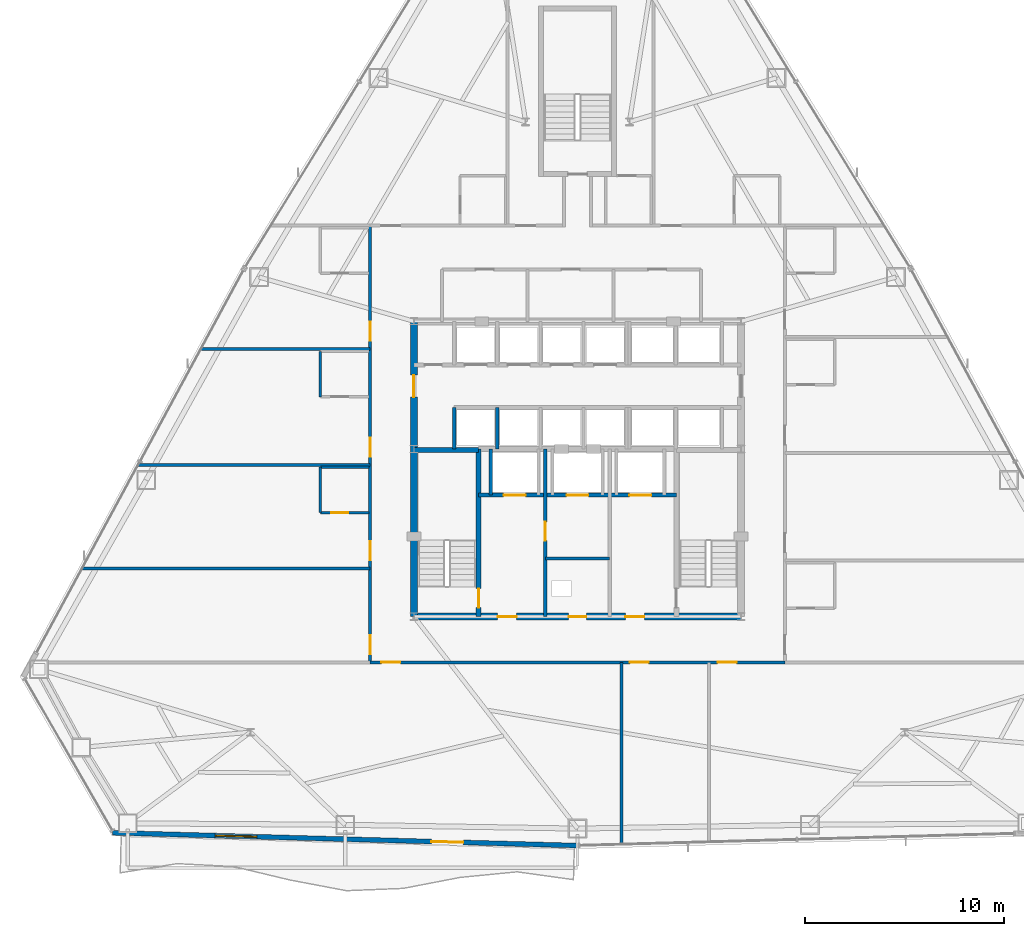
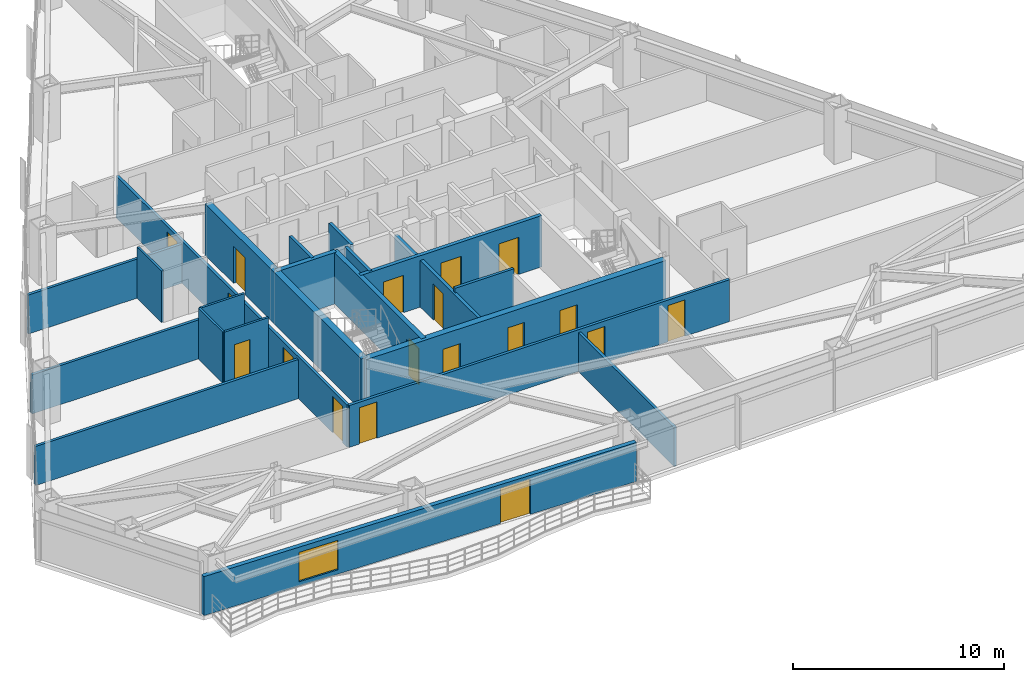
# One storey, part 9 of 14: 21 walls, 18 doors, 1 window, 19 openings.
"""IFC4 building model written with IfcOpenShell, lengths in metres."""

from ifc_helpers import new_model, si_unit, direction, frame, frame_2d, origin, place, context, subcontext, project, spatial, rectangle, extrude, material, layer, layer_set, type_object, element, fill, save


model = new_model("IFC4")

# Units and contexts
model_context = context("Model", 3, precision=1e-05, world=origin(), true_north=direction((0.0, 1.0)))
body_context = subcontext(model_context, "Body", "Model", "MODEL_VIEW")
ifc_project = project(units=[si_unit("LENGTHUNIT", "METRE"), si_unit("AREAUNIT", "SQUARE_METRE"), si_unit("VOLUMEUNIT", "CUBIC_METRE"), si_unit("PLANEANGLEUNIT", "RADIAN"), si_unit("MASSUNIT", "GRAM", prefix="KILO")], contexts=[model_context])

# Site, building, storey
site_placement = place(None, origin())
site = spatial("IfcSite", under=ifc_project, at=site_placement, CompositionType="ELEMENT")
building_placement = place(site_placement, origin())
building = spatial("IfcBuilding", under=site, at=building_placement, Name="Varakhsha Concourse Tower", CompositionType="ELEMENT")
storey_placement = place(building_placement, frame((0.0, 0.0, 105.39990234375)))
storey = spatial("IfcBuildingStorey", under=building, at=storey_placement, Name="L30", CompositionType="ELEMENT", Elevation=105.39990234375)

# Wall, openings, doors
ifc_material_1 = material(Name="Concrete fc 65 MPa", Category="concrete")
ifc_layer_1 = layer(ifc_material_1, 0.35009765625, Name="WL-CORE-350")
ifc_layer_set_1 = layer_set([ifc_layer_1], Name="Concrete fc 65 MPa")
wall_type_1 = type_object("IfcWallType", Name="WL-CORE-350", PredefinedType="SHEAR", material=ifc_layer_set_1)
wall_1_placement = place(storey_placement, frame((31.800048828125, 16.39990234375, 0.0), z_axis=(0.0, 0.0, 1.0), x_axis=(1.0, 0.0, 0.0)))
wall_1 = element("IfcWall", 1, at=wall_1_placement, inside=storey, type_object=wall_type_1, Name="L30 Wall CWALL-S-L30", PredefinedType="SHEAR", context=body_context, shape_type="SweptSolid", body=[
    extrude(rectangle(XDim=16.39990234375, YDim=0.35009765625, at=frame_2d((8.199951171875, 0.0))), origin(), (0.0, 0.0, 1.0), 2.97021484375),
])
opening_1_placement = place(wall_1_placement, frame((7.75, 0.0, 0.0)))
opening_1 = element("IfcOpeningElement", 2, at=opening_1_placement, cuts=wall_1, Name="Opening DF-06", PredefinedType="OPENING", context=body_context, shape_type="SweptSolid", body=[
    extrude(rectangle(XDim=0.89990234375, YDim=2.10009765625, at=frame_2d((0.449951171875, 1.050048828125))), frame((0.0, 0.18505859375, 0.0), z_axis=(0.0, -1.0, 0.0), x_axis=(1.0, 0.0, 0.0)), (0.0, 0.0, 1.0), 0.3701171875),
])
opening_2_placement = place(wall_1_placement, frame((4.199951171875, 0.0, 0.0)))
opening_2 = element("IfcOpeningElement", 3, at=opening_2_placement, cuts=wall_1, Name="Opening DF-05", PredefinedType="OPENING", context=body_context, shape_type="SweptSolid", body=[
    extrude(rectangle(XDim=0.949951171875, YDim=2.10009765625, at=frame_2d((0.47509765625, 1.050048828125))), frame((0.0, 0.18505859375, 0.0), z_axis=(0.0, -1.0, 0.0), x_axis=(1.0, 0.0, 0.0)), (0.0, 0.0, 1.0), 0.3701171875),
])
opening_3_placement = place(wall_1_placement, frame((10.60009765625, 0.0, 0.0)))
opening_3 = element("IfcOpeningElement", 4, at=opening_3_placement, cuts=wall_1, Name="Opening DF-05", PredefinedType="OPENING", context=body_context, shape_type="SweptSolid", body=[
    extrude(rectangle(XDim=0.949951171875, YDim=2.10009765625, at=frame_2d((0.47509765625, 1.050048828125))), frame((0.0, 0.18505859375, 0.0), z_axis=(0.0, -1.0, 0.0), x_axis=(1.0, 0.0, 0.0)), (0.0, 0.0, 1.0), 0.3701171875),
])
ifc_material_2 = material(Name="Hollow Galvanised Steel Fire Door Assembly", Category="steel")
door_type_1 = type_object("IfcDoorType", Name="DR-FD60-900", OperationType="NOTDEFINED", PredefinedType="DOOR", material=ifc_material_2)
door_1_placement = place(opening_1_placement, origin())
door_1 = element("IfcDoor", 5, at=door_1_placement, inside=storey, type_object=door_type_1, Name="L30 Electrical Riser Access Door", OperationType="SINGLE_SWING_LEFT", OverallHeight=2.10009765625, OverallWidth=0.89990234375, PredefinedType="DOOR", context=body_context, shape_type="SweptSolid", body=[
    extrude(rectangle(XDim=0.89990234375, YDim=2.10009765625, at=frame_2d((0.449951171875, 1.050048828125))), frame((0.0, 0.02490234375, 0.0), z_axis=(0.0, -1.0, 0.0), x_axis=(1.0, 0.0, 0.0)), (0.0, 0.0, 1.0), 0.050048828125),
])
fill(opening_1, door_1)
door_type_2 = type_object("IfcDoorType", Name="DR-FD60-950", OperationType="NOTDEFINED", PredefinedType="DOOR", material=ifc_material_2)
door_2_placement = place(opening_2_placement, origin())
door_2 = element("IfcDoor", 6, at=door_2_placement, inside=storey, type_object=door_type_2, Name="L30 Firefighting Lobby West Door", OperationType="SINGLE_SWING_RIGHT", OverallHeight=2.10009765625, OverallWidth=0.949951171875, PredefinedType="DOOR", context=body_context, shape_type="SweptSolid", body=[
    extrude(rectangle(XDim=0.949951171875, YDim=2.10009765625, at=frame_2d((0.47509765625, 1.050048828125))), frame((0.0, 0.02490234375, 0.0), z_axis=(0.0, -1.0, 0.0), x_axis=(1.0, 0.0, 0.0)), (0.0, 0.0, 1.0), 0.050048828125),
])
fill(opening_2, door_2)
door_3_placement = place(opening_3_placement, origin())
door_3 = element("IfcDoor", 7, at=door_3_placement, inside=storey, type_object=door_type_2, Name="L30 Firefighting Lobby East Door", OperationType="SINGLE_SWING_LEFT", OverallHeight=2.10009765625, OverallWidth=0.949951171875, PredefinedType="DOOR", context=body_context, shape_type="SweptSolid", body=[
    extrude(rectangle(XDim=0.949951171875, YDim=2.10009765625, at=frame_2d((0.47509765625, 1.050048828125))), frame((0.0, 0.02490234375, 0.0), z_axis=(0.0, -1.0, 0.0), x_axis=(1.0, 0.0, 0.0)), (0.0, 0.0, 1.0), 0.050048828125),
])
fill(opening_3, door_3)

# Wall, opening, door
wall_2_placement = place(storey_placement, frame((31.800048828125, 16.39990234375, 0.0), z_axis=(0.0, 0.0, 1.0), x_axis=(0.0, 1.0, 0.0)))
wall_2 = element("IfcWall", 8, at=wall_2_placement, inside=storey, type_object=wall_type_1, Name="L30 Wall CWALL-W-L30", PredefinedType="SHEAR", context=body_context, shape_type="SweptSolid", body=[
    extrude(rectangle(XDim=14.800048828125, YDim=0.35009765625, at=frame_2d((7.39990234375, 0.0))), origin(), (0.0, 0.0, 1.0), 2.97021484375),
])
opening_4_placement = place(wall_2_placement, frame((11.0, 0.0, 0.0)))
opening_4 = element("IfcOpeningElement", 9, at=opening_4_placement, cuts=wall_2, Name="Opening DL-01", PredefinedType="OPENING", context=body_context, shape_type="SweptSolid", body=[
    extrude(rectangle(XDim=1.10009765625, YDim=2.14990234375, at=frame_2d((0.550048828125, 1.074951171875))), frame((0.0, 0.18505859375, 0.0), z_axis=(0.0, -1.0, 0.0), x_axis=(1.0, 0.0, 0.0)), (0.0, 0.0, 1.0), 0.3701171875),
])
ifc_material_3 = material(Name="Anodised Bronze Architectural Aluminium AA 6063-T6", Category="aluminium")
door_type_3 = type_object("IfcDoorType", Name="DR-LOB-1100", OperationType="NOTDEFINED", PredefinedType="DOOR", material=ifc_material_3)
door_4_placement = place(opening_4_placement, origin())
door_4 = element("IfcDoor", 10, at=door_4_placement, inside=storey, type_object=door_type_3, Name="L30 Lift Lobby West Concourse Door", OperationType="SINGLE_SWING_LEFT", OverallHeight=2.14990234375, OverallWidth=1.10009765625, PredefinedType="DOOR", context=body_context, shape_type="SweptSolid", body=[
    extrude(rectangle(XDim=1.10009765625, YDim=2.14990234375, at=frame_2d((0.550048828125, 1.074951171875))), frame((0.0, 0.02490234375, 0.0), z_axis=(0.0, -1.0, 0.0), x_axis=(1.0, 0.0, 0.0)), (0.0, 0.0, 1.0), 0.050048828125),
])
fill(opening_4, door_4)

# Wall, openings, door, window
ifc_material_4 = material(Name="Concrete fc 45 MPa", Category="concrete")
ifc_layer_2 = layer(ifc_material_4, 0.239990234375, Name="WL-EXT-CRN-240")
ifc_layer_set_2 = layer_set([ifc_layer_2], Name="Concrete fc 45 MPa")
wall_type_2 = type_object("IfcWallType", Name="WL-EXT-CRN-240", PredefinedType="SHEAR", material=ifc_layer_set_2)
wall_3_placement = place(storey_placement, frame((39.984375, 4.91748046875, 0.0), z_axis=(0.0, 0.0, 1.0), x_axis=(-0.999620599442, 0.027543731983, 0.0)))
wall_3 = element("IfcWall", 11, at=wall_3_placement, inside=storey, type_object=wall_type_2, Name="L30 Sky-Loggia Facade Wall", PredefinedType="SHEAR", context=body_context, shape_type="SweptSolid", body=[
    extrude(rectangle(XDim=23.302734375, YDim=0.239990234375, at=frame_2d((11.6513671875, 0.0))), origin(), (0.0, 0.0, 1.0), 2.253173828125),
])
opening_5_placement = place(wall_3_placement, frame((5.7119140625, 0.0, 0.0)))
opening_5 = element("IfcOpeningElement", 12, at=opening_5_placement, cuts=wall_3, Name="Opening DT-02", PredefinedType="OPENING", context=body_context, shape_type="SweptSolid", body=[
    extrude(rectangle(XDim=1.60009765625, YDim=2.0400390625, at=frame_2d((0.800048828125, 1.02001953125))), frame((0.0, 0.1298828125, 0.0), z_axis=(0.0, -1.0, 0.0), x_axis=(1.0, 0.0, 0.0)), (0.0, 0.0, 1.0), 0.260009765625),
])
opening_6_placement = place(wall_3_placement, frame((16.06201171875, 0.0, 0.25)))
opening_6 = element("IfcOpeningElement", 13, at=opening_6_placement, cuts=wall_3, Name="Opening W-04", PredefinedType="OPENING", context=body_context, shape_type="SweptSolid", body=[
    extrude(rectangle(XDim=2.10009765625, YDim=1.699951171875, at=frame_2d((1.050048828125, 0.85009765625))), frame((0.0, 0.1298828125, 0.0), z_axis=(0.0, -1.0, 0.0), x_axis=(1.0, 0.0, 0.0)), (0.0, 0.0, 1.0), 0.260009765625),
])
door_type_4 = type_object("IfcDoorType", Name="DR-LOGGIA-1600", OperationType="DOUBLE_DOOR_SLIDING", PredefinedType="DOOR", material=ifc_material_3)
door_5_placement = place(opening_5_placement, origin())
door_5 = element("IfcDoor", 14, at=door_5_placement, inside=storey, type_object=door_type_4, Name="L30 Sky-Loggia Sliding Glass Door", OperationType="SINGLE_SWING_LEFT", OverallHeight=2.0400390625, OverallWidth=1.60009765625, PredefinedType="DOOR", context=body_context, shape_type="SweptSolid", body=[
    extrude(rectangle(XDim=1.60009765625, YDim=2.0400390625, at=frame_2d((0.800048828125, 1.02001953125))), frame((0.0, 0.02490234375, 0.0), z_axis=(0.0, -1.0, 0.0), x_axis=(1.0, 0.0, 0.0)), (0.0, 0.0, 1.0), 0.050048828125),
])
fill(opening_5, door_5)
ifc_material_5 = material(Name="Low-E Triple Insulating Glass IGU 44 mm", Category="glass")
window_type = type_object("IfcWindowType", Name="WN-LOGGIA-2100", PartitioningType="SINGLE_PANEL", PredefinedType="WINDOW", material=ifc_material_5)
window_placement = place(opening_6_placement, origin())
window = element("IfcWindow", 15, at=window_placement, inside=storey, type_object=window_type, Name="L30 Sky-Loggia Picture Window 1", OverallHeight=1.699951171875, OverallWidth=2.10009765625, PartitioningType="SINGLE_PANEL", PredefinedType="WINDOW", context=body_context, shape_type="SweptSolid", body=[
    extrude(rectangle(XDim=2.10009765625, YDim=1.699951171875, at=frame_2d((1.050048828125, 0.85009765625))), frame((0.0, 0.030029296875, 0.0), z_axis=(0.0, -1.0, 0.0), x_axis=(1.0, 0.0, 0.0)), (0.0, 0.0, 1.0), 0.06005859375),
])
fill(opening_6, window)

# Wall, opening, door
ifc_material_6 = material(Name="Fire-Rated Type X Gypsum Partition Assembly", Category="gypsum")
ifc_layer_3 = layer(ifc_material_6, 0.179931640625, Name="WL-FFLOB-180")
ifc_layer_set_3 = layer_set([ifc_layer_3], Name="Fire-Rated Type X Gypsum Partition Assembly")
wall_type_3 = type_object("IfcWallType", Name="WL-FFLOB-180", PredefinedType="PARTITIONING", material=ifc_layer_set_3)
wall_4_placement = place(storey_placement, frame((38.389892578125, 16.39990234375, 0.0), z_axis=(0.0, 0.0, 1.0), x_axis=(0.0, 1.0, 0.0)))
wall_4 = element("IfcWall", 16, at=wall_4_placement, inside=storey, type_object=wall_type_3, Name="L30 Wall FFW-1E-L30", PredefinedType="PARTITIONING", context=body_context, shape_type="SweptSolid", body=[
    extrude(rectangle(XDim=8.400146484375, YDim=0.179931640625, at=frame_2d((4.2001953125, 0.0))), origin(), (0.0, 0.0, 1.0), 2.697998046875),
])
opening_7_placement = place(wall_4_placement, frame((3.800048828125, 0.0, 0.0)))
opening_7 = element("IfcOpeningElement", 17, at=opening_7_placement, cuts=wall_4, Name="Opening DF-05", PredefinedType="OPENING", context=body_context, shape_type="SweptSolid", body=[
    extrude(rectangle(XDim=0.949951171875, YDim=2.10009765625, at=frame_2d((0.47509765625, 1.050048828125))), frame((0.0, 0.099853515625, 0.0), z_axis=(0.0, -1.0, 0.0), x_axis=(1.0, 0.0, 0.0)), (0.0, 0.0, 1.0), 0.199951171875),
])
door_6_placement = place(opening_7_placement, origin())
door_6 = element("IfcDoor", 18, at=door_6_placement, inside=storey, type_object=door_type_2, Name="L30 Service Vestibule Door", OperationType="SINGLE_SWING_RIGHT", OverallHeight=2.10009765625, OverallWidth=0.949951171875, PredefinedType="DOOR", context=body_context, shape_type="SweptSolid", body=[
    extrude(rectangle(XDim=0.949951171875, YDim=2.10009765625, at=frame_2d((0.47509765625, 1.050048828125))), frame((0.0, 0.02490234375, 0.0), z_axis=(0.0, -1.0, 0.0), x_axis=(1.0, 0.0, 0.0)), (0.0, 0.0, 1.0), 0.050048828125),
])
fill(opening_7, door_6)

# Wall
ifc_material_7 = material(Name="Acoustic Gypsum Board Partition Assembly", Category="gypsum")
ifc_layer_4 = layer(ifc_material_7, 0.1201171875, Name="WL-PART-120")
ifc_layer_set_4 = layer_set([ifc_layer_4], Name="Acoustic Gypsum Board Partition Assembly")
wall_type_4 = type_object("IfcWallType", Name="WL-PART-120", PredefinedType="PARTITIONING", material=ifc_layer_set_4)
wall_5_placement = place(storey_placement, frame((27.110107421875, 21.610107421875, 0.0), z_axis=(0.0, 0.0, 1.0), x_axis=(0.0, 1.0, 0.0)))
element("IfcWall", 19, at=wall_5_placement, inside=storey, type_object=wall_type_4, Name="L30 Wall ENSW-W-L30-H05", PredefinedType="PARTITIONING", context=body_context, shape_type="SweptSolid", body=[
    extrude(rectangle(XDim=2.27978515625, YDim=0.1201171875, at=frame_2d((1.139892578125, 0.0))), origin(), (0.0, 0.0, 1.0), 2.97021484375),
])

# Wall, opening, door
wall_6_placement = place(storey_placement, frame((27.110107421875, 21.610107421875, 0.0), z_axis=(0.0, 0.0, 1.0), x_axis=(1.0, 0.0, 0.0)))
wall_6 = element("IfcWall", 20, at=wall_6_placement, inside=storey, type_object=wall_type_4, Name="L30 Wall ENSW-S-L30-H05", PredefinedType="PARTITIONING", context=body_context, shape_type="SweptSolid", body=[
    extrude(rectangle(XDim=2.429931640625, YDim=0.1201171875, at=frame_2d((1.21484375, 0.0))), origin(), (0.0, 0.0, 1.0), 2.97021484375),
])
opening_8_placement = place(wall_6_placement, frame((0.550048828125, 0.0, 0.0)))
opening_8 = element("IfcOpeningElement", 21, at=opening_8_placement, cuts=wall_6, Name="Opening DI-01", PredefinedType="OPENING", context=body_context, shape_type="SweptSolid", body=[
    extrude(rectangle(XDim=0.85009765625, YDim=2.050048828125, at=frame_2d((0.425048828125, 1.02490234375))), frame((0.0, 0.070068359375, 0.0), z_axis=(0.0, -1.0, 0.0), x_axis=(1.0, 0.0, 0.0)), (0.0, 0.0, 1.0), 0.14013671875),
])
ifc_material_8 = material(Name="Architectural Walnut Acoustic Timber Door", Category="wood")
door_type_5 = type_object("IfcDoorType", Name="DR-INT-850", OperationType="NOTDEFINED", PredefinedType="DOOR", material=ifc_material_8)
door_7_placement = place(opening_8_placement, origin())
door_7 = element("IfcDoor", 22, at=door_7_placement, inside=storey, type_object=door_type_5, Name="L30 En-suite Bathroom Door L30-H05", OperationType="SINGLE_SWING_RIGHT", OverallHeight=2.050048828125, OverallWidth=0.85009765625, PredefinedType="DOOR", context=body_context, shape_type="SweptSolid", body=[
    extrude(rectangle(XDim=0.85009765625, YDim=2.050048828125, at=frame_2d((0.425048828125, 1.02490234375))), frame((0.0, 0.02490234375, 0.0), z_axis=(0.0, -1.0, 0.0), x_axis=(1.0, 0.0, 0.0)), (0.0, 0.0, 1.0), 0.050048828125),
])
fill(opening_8, door_7)

# Walls
wall_7_placement = place(storey_placement, frame((27.110107421875, 23.889892578125, 0.0), z_axis=(0.0, 0.0, 1.0), x_axis=(1.0, 0.0, 0.0)))
element("IfcWall", 23, at=wall_7_placement, inside=storey, type_object=wall_type_4, Name="L30 Wall ENSW-N-L30-H05", PredefinedType="PARTITIONING", context=body_context, shape_type="SweptSolid", body=[
    extrude(rectangle(XDim=2.429931640625, YDim=0.1201171875, at=frame_2d((1.21484375, 0.0))), origin(), (0.0, 0.0, 1.0), 2.97021484375),
])
wall_8_placement = place(storey_placement, frame((27.110107421875, 27.409912109375, 0.0), z_axis=(0.0, 0.0, 1.0), x_axis=(0.0, 1.0, 0.0)))
element("IfcWall", 24, at=wall_8_placement, inside=storey, type_object=wall_type_4, Name="L30 Wall ENSW-W-L30-H06", PredefinedType="PARTITIONING", context=body_context, shape_type="SweptSolid", body=[
    extrude(rectangle(XDim=2.280029296875, YDim=0.1201171875, at=frame_2d((1.14013671875, 0.0))), origin(), (0.0, 0.0, 1.0), 2.97021484375),
])
ifc_layer_5 = layer(ifc_material_6, 0.14990234375, Name="WL-PART-150")
ifc_layer_set_5 = layer_set([ifc_layer_5], Name="Fire-Rated Type X Gypsum Partition Assembly")
wall_type_5 = type_object("IfcWallType", Name="WL-PART-150", PredefinedType="PARTITIONING", material=ifc_layer_set_5)
wall_9_placement = place(storey_placement, frame((38.389892578125, 19.300048828125, 0.0), z_axis=(0.0, 0.0, 1.0), x_axis=(1.0, 0.0, 0.0)))
element("IfcWall", 25, at=wall_9_placement, inside=storey, type_object=wall_type_5, Name="L30 Wall RSW-H-L30", PredefinedType="PARTITIONING", context=body_context, shape_type="SweptSolid", body=[
    extrude(rectangle(XDim=3.22021484375, YDim=0.14990234375, at=frame_2d((1.610107421875, 0.0))), origin(), (0.0, 0.0, 1.0), 2.97021484375),
])

# Wall, openings, doors
wall_10_placement = place(storey_placement, frame((29.60009765625, 14.10009765625, 0.0), z_axis=(0.0, 0.0, 1.0), x_axis=(1.0, 0.0, 0.0)))
wall_10 = element("IfcWall", 26, at=wall_10_placement, inside=storey, type_object=wall_type_5, Name="L30 Wall CRW-S-L30", PredefinedType="PARTITIONING", context=body_context, shape_type="SweptSolid", body=[
    extrude(rectangle(XDim=20.7998046875, YDim=0.14990234375, at=frame_2d((10.39990234375, 0.0))), origin(), (0.0, 0.0, 1.0), 2.421142578125),
])
opening_9_placement = place(wall_10_placement, frame((0.570068359375, 0.0, 0.0)))
opening_9 = element("IfcOpeningElement", 27, at=opening_9_placement, cuts=wall_10, Name="Opening DF-05", PredefinedType="OPENING", context=body_context, shape_type="SweptSolid", body=[
    extrude(rectangle(XDim=0.949951171875, YDim=2.10009765625, at=frame_2d((0.47509765625, 1.050048828125))), frame((0.0, 0.0849609375, 0.0), z_axis=(0.0, -1.0, 0.0), x_axis=(1.0, 0.0, 0.0)), (0.0, 0.0, 1.0), 0.169921875),
])
opening_10_placement = place(wall_10_placement, frame((13.02001953125, 0.0, 0.0)))
opening_10 = element("IfcOpeningElement", 28, at=opening_10_placement, cuts=wall_10, Name="Opening DF-05", PredefinedType="OPENING", context=body_context, shape_type="SweptSolid", body=[
    extrude(rectangle(XDim=0.949951171875, YDim=2.10009765625, at=frame_2d((0.47509765625, 1.050048828125))), frame((0.0, 0.0849609375, 0.0), z_axis=(0.0, -1.0, 0.0), x_axis=(1.0, 0.0, 0.0)), (0.0, 0.0, 1.0), 0.169921875),
])
opening_11_placement = place(wall_10_placement, frame((17.419921875, 0.0, 0.0)))
opening_11 = element("IfcOpeningElement", 29, at=opening_11_placement, cuts=wall_10, Name="Opening DF-05", PredefinedType="OPENING", context=body_context, shape_type="SweptSolid", body=[
    extrude(rectangle(XDim=0.949951171875, YDim=2.10009765625, at=frame_2d((0.47509765625, 1.050048828125))), frame((0.0, 0.0849609375, 0.0), z_axis=(0.0, -1.0, 0.0), x_axis=(1.0, 0.0, 0.0)), (0.0, 0.0, 1.0), 0.169921875),
])
door_8_placement = place(opening_9_placement, origin())
door_8 = element("IfcDoor", 30, at=door_8_placement, inside=storey, type_object=door_type_2, Name="L30 Hotel Executive Salon L30-H01 Door", OperationType="SINGLE_SWING_LEFT", OverallHeight=2.10009765625, OverallWidth=0.949951171875, PredefinedType="DOOR", context=body_context, shape_type="SweptSolid", body=[
    extrude(rectangle(XDim=0.949951171875, YDim=2.10009765625, at=frame_2d((0.47509765625, 1.050048828125))), frame((0.0, 0.02490234375, 0.0), z_axis=(0.0, -1.0, 0.0), x_axis=(1.0, 0.0, 0.0)), (0.0, 0.0, 1.0), 0.050048828125),
])
fill(opening_9, door_8)
door_9_placement = place(opening_10_placement, origin())
door_9 = element("IfcDoor", 31, at=door_9_placement, inside=storey, type_object=door_type_2, Name="L30 Sky-Loggia Reading Lounge L30-H02 Door", OperationType="SINGLE_SWING_RIGHT", OverallHeight=2.10009765625, OverallWidth=0.949951171875, PredefinedType="DOOR", context=body_context, shape_type="SweptSolid", body=[
    extrude(rectangle(XDim=0.949951171875, YDim=2.10009765625, at=frame_2d((0.47509765625, 1.050048828125))), frame((0.0, 0.02490234375, 0.0), z_axis=(0.0, -1.0, 0.0), x_axis=(1.0, 0.0, 0.0)), (0.0, 0.0, 1.0), 0.050048828125),
])
fill(opening_10, door_9)
door_10_placement = place(opening_11_placement, origin())
door_10 = element("IfcDoor", 32, at=door_10_placement, inside=storey, type_object=door_type_2, Name="L30 Hotel Executive Salon L30-H03 Door", OperationType="SINGLE_SWING_LEFT", OverallHeight=2.10009765625, OverallWidth=0.949951171875, PredefinedType="DOOR", context=body_context, shape_type="SweptSolid", body=[
    extrude(rectangle(XDim=0.949951171875, YDim=2.10009765625, at=frame_2d((0.47509765625, 1.050048828125))), frame((0.0, 0.02490234375, 0.0), z_axis=(0.0, -1.0, 0.0), x_axis=(1.0, 0.0, 0.0)), (0.0, 0.0, 1.0), 0.050048828125),
])
fill(opening_11, door_10)

wall_11_placement = place(storey_placement, frame((29.60009765625, 14.10009765625, 0.0), z_axis=(0.0, 0.0, 1.0), x_axis=(0.0, 1.0, 0.0)))
wall_11 = element("IfcWall", 33, at=wall_11_placement, inside=storey, type_object=wall_type_5, Name="L30 Wall CRW-W-L30", PredefinedType="PARTITIONING", context=body_context, shape_type="SweptSolid", body=[
    extrude(rectangle(XDim=21.89990234375, YDim=0.14990234375, at=frame_2d((10.949951171875, 0.0))), origin(), (0.0, 0.0, 1.0), 2.421142578125),
])
opening_12_placement = place(wall_11_placement, frame((0.419921875, 0.0, 0.0)))
opening_12 = element("IfcOpeningElement", 34, at=opening_12_placement, cuts=wall_11, Name="Opening DF-05", PredefinedType="OPENING", context=body_context, shape_type="SweptSolid", body=[
    extrude(rectangle(XDim=0.949951171875, YDim=2.10009765625, at=frame_2d((0.47509765625, 1.050048828125))), frame((0.0, 0.0849609375, 0.0), z_axis=(0.0, -1.0, 0.0), x_axis=(1.0, 0.0, 0.0)), (0.0, 0.0, 1.0), 0.169921875),
])
opening_13_placement = place(wall_11_placement, frame((5.1201171875, 0.0, 0.0)))
opening_13 = element("IfcOpeningElement", 35, at=opening_13_placement, cuts=wall_11, Name="Opening DF-05", PredefinedType="OPENING", context=body_context, shape_type="SweptSolid", body=[
    extrude(rectangle(XDim=0.949951171875, YDim=2.10009765625, at=frame_2d((0.47509765625, 1.050048828125))), frame((0.0, 0.0849609375, 0.0), z_axis=(0.0, -1.0, 0.0), x_axis=(1.0, 0.0, 0.0)), (0.0, 0.0, 1.0), 0.169921875),
])
opening_14_placement = place(wall_11_placement, frame((10.320068359375, 0.0, 0.0)))
opening_14 = element("IfcOpeningElement", 36, at=opening_14_placement, cuts=wall_11, Name="Opening DF-05", PredefinedType="OPENING", context=body_context, shape_type="SweptSolid", body=[
    extrude(rectangle(XDim=0.949951171875, YDim=2.10009765625, at=frame_2d((0.47509765625, 1.050048828125))), frame((0.0, 0.0849609375, 0.0), z_axis=(0.0, -1.0, 0.0), x_axis=(1.0, 0.0, 0.0)), (0.0, 0.0, 1.0), 0.169921875),
])
opening_15_placement = place(wall_11_placement, frame((16.1201171875, 0.0, 0.0)))
opening_15 = element("IfcOpeningElement", 37, at=opening_15_placement, cuts=wall_11, Name="Opening DF-05", PredefinedType="OPENING", context=body_context, shape_type="SweptSolid", body=[
    extrude(rectangle(XDim=0.949951171875, YDim=2.10009765625, at=frame_2d((0.47509765625, 1.050048828125))), frame((0.0, 0.0849609375, 0.0), z_axis=(0.0, -1.0, 0.0), x_axis=(1.0, 0.0, 0.0)), (0.0, 0.0, 1.0), 0.169921875),
])
door_11_placement = place(opening_12_placement, origin())
door_11 = element("IfcDoor", 38, at=door_11_placement, inside=storey, type_object=door_type_2, Name="L30 Sky-Loggia Reading Lounge L30-H04 Door", OperationType="SINGLE_SWING_RIGHT", OverallHeight=2.10009765625, OverallWidth=0.949951171875, PredefinedType="DOOR", context=body_context, shape_type="SweptSolid", body=[
    extrude(rectangle(XDim=0.949951171875, YDim=2.10009765625, at=frame_2d((0.47509765625, 1.050048828125))), frame((0.0, 0.02490234375, 0.0), z_axis=(0.0, -1.0, 0.0), x_axis=(1.0, 0.0, 0.0)), (0.0, 0.0, 1.0), 0.050048828125),
])
fill(opening_12, door_11)
door_12_placement = place(opening_13_placement, origin())
door_12 = element("IfcDoor", 39, at=door_12_placement, inside=storey, type_object=door_type_2, Name="L30 Hotel Corner Suite L30-H05 Entry Door", OperationType="SINGLE_SWING_LEFT", OverallHeight=2.10009765625, OverallWidth=0.949951171875, PredefinedType="DOOR", context=body_context, shape_type="SweptSolid", body=[
    extrude(rectangle(XDim=0.949951171875, YDim=2.10009765625, at=frame_2d((0.47509765625, 1.050048828125))), frame((0.0, 0.02490234375, 0.0), z_axis=(0.0, -1.0, 0.0), x_axis=(1.0, 0.0, 0.0)), (0.0, 0.0, 1.0), 0.050048828125),
])
fill(opening_13, door_12)
door_13_placement = place(opening_14_placement, origin())
door_13 = element("IfcDoor", 40, at=door_13_placement, inside=storey, type_object=door_type_2, Name="L30 Hotel Corner Suite L30-H06 Entry Door", OperationType="SINGLE_SWING_RIGHT", OverallHeight=2.10009765625, OverallWidth=0.949951171875, PredefinedType="DOOR", context=body_context, shape_type="SweptSolid", body=[
    extrude(rectangle(XDim=0.949951171875, YDim=2.10009765625, at=frame_2d((0.47509765625, 1.050048828125))), frame((0.0, 0.02490234375, 0.0), z_axis=(0.0, -1.0, 0.0), x_axis=(1.0, 0.0, 0.0)), (0.0, 0.0, 1.0), 0.050048828125),
])
fill(opening_14, door_13)
door_14_placement = place(opening_15_placement, origin())
door_14 = element("IfcDoor", 41, at=door_14_placement, inside=storey, type_object=door_type_2, Name="L30 Hotel Guest Room L30-H07 Entry Door", OperationType="SINGLE_SWING_LEFT", OverallHeight=2.10009765625, OverallWidth=0.949951171875, PredefinedType="DOOR", context=body_context, shape_type="SweptSolid", body=[
    extrude(rectangle(XDim=0.949951171875, YDim=2.10009765625, at=frame_2d((0.47509765625, 1.050048828125))), frame((0.0, 0.02490234375, 0.0), z_axis=(0.0, -1.0, 0.0), x_axis=(1.0, 0.0, 0.0)), (0.0, 0.0, 1.0), 0.050048828125),
])
fill(opening_15, door_14)

# Walls
wall_12_placement = place(storey_placement, frame((42.199951171875, 4.982666015625, 0.0), z_axis=(0.0, 0.0, 1.0), x_axis=(0.0, 1.0, 0.0)))
element("IfcWall", 42, at=wall_12_placement, inside=storey, type_object=wall_type_5, Name="L30 Wall HDIV-S1-L30", PredefinedType="PARTITIONING", context=body_context, shape_type="SweptSolid", body=[
    extrude(rectangle(XDim=9.117431640625, YDim=0.14990234375, at=frame_2d((4.55859375, 0.0))), origin(), (0.0, 0.0, 1.0), 2.258056640625),
])
wall_13_placement = place(storey_placement, frame((15.166015625, 18.800048828125, 0.0), z_axis=(0.0, 0.0, 1.0), x_axis=(1.0, 0.0, 0.0)))
element("IfcWall", 43, at=wall_13_placement, inside=storey, type_object=wall_type_5, Name="L30 Wall HDIV-W1-L30", PredefinedType="PARTITIONING", context=body_context, shape_type="SweptSolid", body=[
    extrude(rectangle(XDim=14.43408203125, YDim=0.14990234375, at=frame_2d((7.217041015625, 0.0))), origin(), (0.0, 0.0, 1.0), 2.258056640625),
])
wall_14_placement = place(storey_placement, frame((17.97998046875, 24.0, 0.0), z_axis=(0.0, 0.0, 1.0), x_axis=(1.0, 0.0, 0.0)))
element("IfcWall", 44, at=wall_14_placement, inside=storey, type_object=wall_type_5, Name="L30 Wall HDIV-W2-L30", PredefinedType="PARTITIONING", context=body_context, shape_type="SweptSolid", body=[
    extrude(rectangle(XDim=11.6201171875, YDim=0.14990234375, at=frame_2d((5.81005859375, 0.0))), origin(), (0.0, 0.0, 1.0), 2.258056640625),
])
wall_15_placement = place(storey_placement, frame((21.118896484375, 29.800048828125, 0.0), z_axis=(0.0, 0.0, 1.0), x_axis=(1.0, 0.0, 0.0)))
element("IfcWall", 45, at=wall_15_placement, inside=storey, type_object=wall_type_5, Name="L30 Wall HDIV-W3-L30", PredefinedType="PARTITIONING", context=body_context, shape_type="SweptSolid", body=[
    extrude(rectangle(XDim=8.481201171875, YDim=0.14990234375, at=frame_2d((4.24072265625, 0.0))), origin(), (0.0, 0.0, 1.0), 2.258056640625),
])

# Wall, openings, doors
ifc_layer_6 = layer(ifc_material_6, 0.199951171875, Name="WL-SHAFT-220")
ifc_layer_set_6 = layer_set([ifc_layer_6], Name="Fire-Rated Type X Gypsum Partition Assembly")
wall_type_6 = type_object("IfcWallType", Name="WL-SHAFT-220", PredefinedType="SOLIDWALL", material=ifc_layer_set_6)
wall_16_placement = place(storey_placement, frame((35.044921875, 22.47998046875, 0.0), z_axis=(0.0, 0.0, 1.0), x_axis=(1.0, 0.0, 0.0)))
wall_16 = element("IfcWall", 46, at=wall_16_placement, inside=storey, type_object=wall_type_6, Name="L30 Wall FFW-NH-L30", PredefinedType="SOLIDWALL", context=body_context, shape_type="SweptSolid", body=[
    extrude(rectangle(XDim=9.91015625, YDim=0.199951171875, at=frame_2d((4.955078125, 0.0))), origin(), (0.0, 0.0, 1.0), 2.97021484375),
])
opening_16_placement = place(wall_16_placement, frame((1.2548828125, 0.0, 0.0)))
opening_16 = element("IfcOpeningElement", 47, at=opening_16_placement, cuts=wall_16, Name="Opening LD-FFL-1", PredefinedType="OPENING", context=body_context, shape_type="SweptSolid", body=[
    extrude(rectangle(XDim=1.10009765625, YDim=2.14990234375, at=frame_2d((0.550048828125, 1.074951171875))), frame((0.0, 0.10986328125, 0.0), z_axis=(0.0, -1.0, 0.0), x_axis=(1.0, 0.0, 0.0)), (0.0, 0.0, 1.0), 0.219970703125),
])
opening_17_placement = place(wall_16_placement, frame((7.554931640625, 0.0, 0.0)))
opening_17 = element("IfcOpeningElement", 48, at=opening_17_placement, cuts=wall_16, Name="Opening LD-FFL-2", PredefinedType="OPENING", context=body_context, shape_type="SweptSolid", body=[
    extrude(rectangle(XDim=1.10009765625, YDim=2.14990234375, at=frame_2d((0.550048828125, 1.074951171875))), frame((0.0, 0.10986328125, 0.0), z_axis=(0.0, -1.0, 0.0), x_axis=(1.0, 0.0, 0.0)), (0.0, 0.0, 1.0), 0.219970703125),
])
opening_18_placement = place(wall_16_placement, frame((4.405029296875, 0.0, 0.0)))
opening_18 = element("IfcOpeningElement", 49, at=opening_18_placement, cuts=wall_16, Name="Opening LD-SVL-1", PredefinedType="OPENING", context=body_context, shape_type="SweptSolid", body=[
    extrude(rectangle(XDim=1.10009765625, YDim=2.14990234375, at=frame_2d((0.550048828125, 1.074951171875))), frame((0.0, 0.10986328125, 0.0), z_axis=(0.0, -1.0, 0.0), x_axis=(1.0, 0.0, 0.0)), (0.0, 0.0, 1.0), 0.219970703125),
])
ifc_material_9 = material(Name="Brushed Austenitic Stainless Steel AISI 316", Category="steel")
door_type_6 = type_object("IfcDoorType", Name="DR-LD-1100", OperationType="DOUBLE_DOOR_SLIDING", PredefinedType="DOOR", material=ifc_material_9)
door_15_placement = place(opening_16_placement, origin())
door_15 = element("IfcDoor", 50, at=door_15_placement, inside=storey, type_object=door_type_6, Name="Lift Landing Door FFL-1 L30", OperationType="DOUBLE_DOOR_SLIDING", OverallHeight=2.14990234375, OverallWidth=1.10009765625, PredefinedType="DOOR", context=body_context, shape_type="SweptSolid", body=[
    extrude(rectangle(XDim=1.10009765625, YDim=2.14990234375, at=frame_2d((0.550048828125, 1.074951171875))), frame((0.0, 0.02490234375, 0.0), z_axis=(0.0, -1.0, 0.0), x_axis=(1.0, 0.0, 0.0)), (0.0, 0.0, 1.0), 0.050048828125),
])
fill(opening_16, door_15)
door_16_placement = place(opening_17_placement, origin())
door_16 = element("IfcDoor", 51, at=door_16_placement, inside=storey, type_object=door_type_6, Name="Lift Landing Door FFL-2 L30", OperationType="DOUBLE_DOOR_SLIDING", OverallHeight=2.14990234375, OverallWidth=1.10009765625, PredefinedType="DOOR", context=body_context, shape_type="SweptSolid", body=[
    extrude(rectangle(XDim=1.10009765625, YDim=2.14990234375, at=frame_2d((0.550048828125, 1.074951171875))), frame((0.0, 0.02490234375, 0.0), z_axis=(0.0, -1.0, 0.0), x_axis=(1.0, 0.0, 0.0)), (0.0, 0.0, 1.0), 0.050048828125),
])
fill(opening_17, door_16)
door_17_placement = place(opening_18_placement, origin())
door_17 = element("IfcDoor", 52, at=door_17_placement, inside=storey, type_object=door_type_6, Name="Lift Landing Door SVL-1 L30", OperationType="DOUBLE_DOOR_SLIDING", OverallHeight=2.14990234375, OverallWidth=1.10009765625, PredefinedType="DOOR", context=body_context, shape_type="SweptSolid", body=[
    extrude(rectangle(XDim=1.10009765625, YDim=2.14990234375, at=frame_2d((0.550048828125, 1.074951171875))), frame((0.0, 0.02490234375, 0.0), z_axis=(0.0, -1.0, 0.0), x_axis=(1.0, 0.0, 0.0)), (0.0, 0.0, 1.0), 0.050048828125),
])
fill(opening_18, door_17)

# Walls
wall_17_placement = place(storey_placement, frame((35.64990234375, 22.47998046875, 0.0), z_axis=(0.0, 0.0, 1.0), x_axis=(0.0, 1.0, 0.0)))
element("IfcWall", 53, at=wall_17_placement, inside=storey, type_object=wall_type_6, Name="L30 Wall SHW-FFL-1-W-L30", PredefinedType="SOLIDWALL", context=body_context, shape_type="SweptSolid", body=[
    extrude(rectangle(XDim=2.320068359375, YDim=0.159912109375, at=frame_2d((1.16015625, 0.0))), origin(), (0.0, 0.0, 1.0), 2.97021484375),
])
for number, where, z_axis, x_axis, name in (
    (54, (33.820068359375, 24.800048828125, 0.0), (0.0, 0.0, 1.0), (0.0, 1.0, 0.0), "L30 Wall WBOH-E2-L30"),
    (55, (35.97998046875, 24.800048828125, 0.0), (0.0, 0.0, 1.0), (0.0, 1.0, 0.0), "L30 Wall SHW-LF-P05-E-L30"),
):
    element("IfcWall", number, at=place(storey_placement, frame(where, z_axis=z_axis, x_axis=x_axis)), inside=storey, type_object=wall_type_6, Name=name, PredefinedType="SOLIDWALL", context=body_context, shape_type="SweptSolid", body=[
        extrude(rectangle(XDim=2.079833984375, YDim=0.159912109375, at=frame_2d((1.0400390625, 0.0))), origin(), (0.0, 0.0, 1.0), 2.97021484375),
    ])

# Wall, opening, door
ifc_layer_7 = layer(ifc_material_4, 0.25, Name="WL-STAIR-250")
ifc_layer_set_7 = layer_set([ifc_layer_7], Name="Concrete fc 45 MPa")
wall_type_7 = type_object("IfcWallType", Name="WL-STAIR-250", PredefinedType="SHEAR", material=ifc_layer_set_7)
wall_18_placement = place(storey_placement, frame((35.044921875, 16.39990234375, 0.0), z_axis=(0.0, 0.0, 1.0), x_axis=(0.0, 1.0, 0.0)))
wall_18 = element("IfcWall", 56, at=wall_18_placement, inside=storey, type_object=wall_type_7, Name="L30 Wall SWALL-ST1-E-L30", PredefinedType="SHEAR", context=body_context, shape_type="SweptSolid", body=[
    extrude(rectangle(XDim=8.400146484375, YDim=0.25, at=frame_2d((4.2001953125, 0.0))), origin(), (0.0, 0.0, 1.0), 2.97021484375),
])
opening_19_placement = place(wall_18_placement, frame((0.449951171875, 0.0, 0.0)))
opening_19 = element("IfcOpeningElement", 57, at=opening_19_placement, cuts=wall_18, Name="Opening DF-03", PredefinedType="OPENING", context=body_context, shape_type="SweptSolid", body=[
    extrude(rectangle(XDim=0.949951171875, YDim=2.10009765625, at=frame_2d((0.47509765625, 1.050048828125))), frame((0.0, 0.135009765625, 0.0), z_axis=(0.0, -1.0, 0.0), x_axis=(1.0, 0.0, 0.0)), (0.0, 0.0, 1.0), 0.27001953125),
])
door_type_7 = type_object("IfcDoorType", Name="DR-FD90-950", OperationType="NOTDEFINED", PredefinedType="DOOR", material=ifc_material_2)
door_18_placement = place(opening_19_placement, origin())
door_18 = element("IfcDoor", 58, at=door_18_placement, inside=storey, type_object=door_type_7, Name="L30 Stair ST1 Fire Door", OperationType="SINGLE_SWING_LEFT", OverallHeight=2.10009765625, OverallWidth=0.949951171875, PredefinedType="DOOR", context=body_context, shape_type="SweptSolid", body=[
    extrude(rectangle(XDim=0.949951171875, YDim=2.10009765625, at=frame_2d((0.47509765625, 1.050048828125))), frame((0.0, 0.02490234375, 0.0), z_axis=(0.0, -1.0, 0.0), x_axis=(1.0, 0.0, 0.0)), (0.0, 0.0, 1.0), 0.050048828125),
])
fill(opening_19, door_18)

# Wall
wall_19_placement = place(storey_placement, frame((31.800048828125, 24.7548828125, 0.0), z_axis=(0.0, 0.0, 1.0), x_axis=(1.0, 0.0, 0.0)))
element("IfcWall", 59, at=wall_19_placement, inside=storey, type_object=wall_type_7, Name="L30 Wall SWALL-ST1-N-L30", PredefinedType="SHEAR", context=body_context, shape_type="SweptSolid", body=[
    extrude(rectangle(XDim=3.244873046875, YDim=0.25, at=frame_2d((1.62255859375, 0.0))), origin(), (0.0, 0.0, 1.0), 2.97021484375),
])

save(model, "model.ifc")
